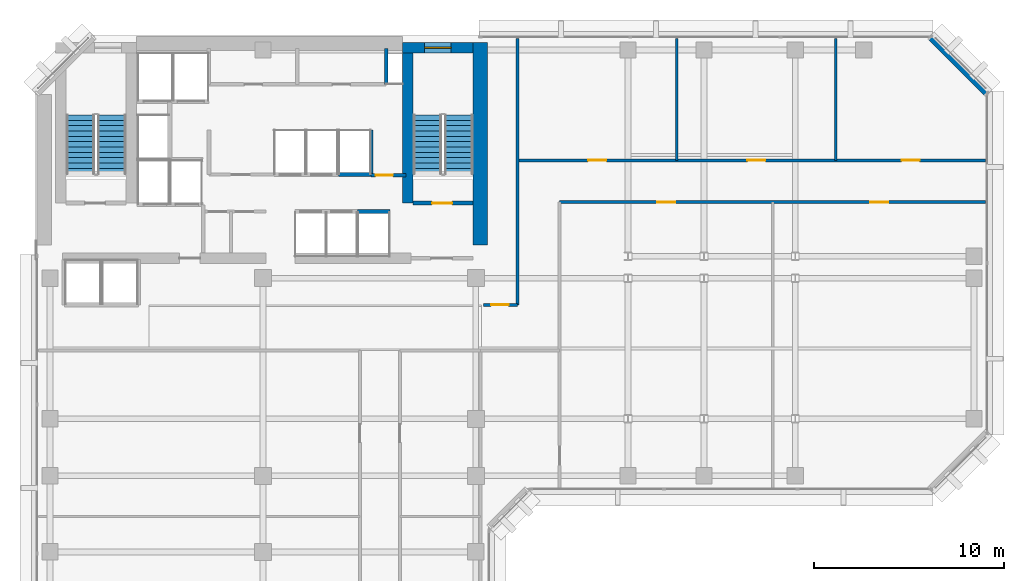
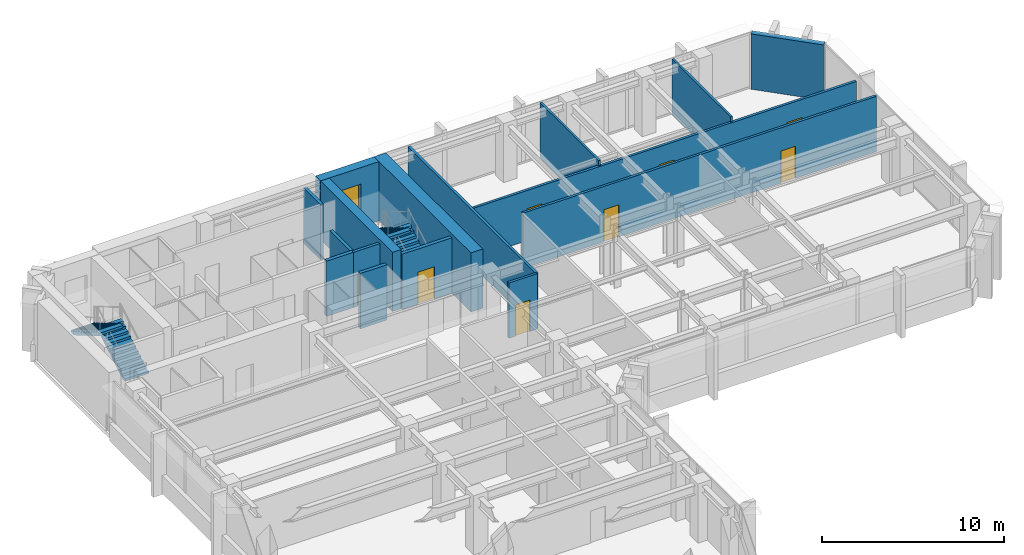
# One storey, part 8 of 11: 16 walls, 8 doors, 4 stair flights, 1 window, 9 openings, 2 elements without a shape of their own.
"""IFC4 building model written with IfcOpenShell, lengths in metres."""

from ifc_helpers import new_model, si_unit, direction, frame, frame_2d, origin, place, context, subcontext, project, spatial, polyline, rectangle, outline, extrude, material, layer, layer_set, type_object, element, fill, aggregate, save


model = new_model("IFC4")

# Units and contexts
model_context = context("Model", 3, precision=1e-05, world=origin(), true_north=direction((0.0, 1.0)))
body_context = subcontext(model_context, "Body", "Model", "MODEL_VIEW")
ifc_project = project(units=[si_unit("LENGTHUNIT", "METRE"), si_unit("AREAUNIT", "SQUARE_METRE"), si_unit("VOLUMEUNIT", "CUBIC_METRE"), si_unit("PLANEANGLEUNIT", "RADIAN"), si_unit("MASSUNIT", "GRAM", prefix="KILO")], contexts=[model_context])

# Site, building, storey
site_placement = place(None, origin())
site = spatial("IfcSite", under=ifc_project, at=site_placement, CompositionType="ELEMENT")
building_placement = place(site_placement, origin())
building = spatial("IfcBuilding", under=site, at=building_placement, Name="Kefirva Bronze Tower", CompositionType="ELEMENT")
storey_placement = place(building_placement, frame((0.0, 0.0, 183.47998046875)))
storey = spatial("IfcBuildingStorey", under=building, at=storey_placement, Name="L44", CompositionType="ELEMENT", Elevation=183.47998046875)

# Walls
ifc_material_1 = material(Name="Gypsum acoustic partition")
ifc_layer_1 = layer(ifc_material_1, 0.1298828125, Name="Gypsum acoustic partition")
ifc_layer_set_1 = layer_set([ifc_layer_1], Name="Gypsum acoustic partition")
wall_type_1 = type_object("IfcWallType", Name="Acoustic Office Partition 130mm", PredefinedType="PARTITIONING", material=ifc_layer_set_1)
for number, where, z_axis, x_axis, name in (
    (1, (33.767333984375, 39.39990234375, 0.0), (0.0, 0.0, 1.0), (0.0, 1.0, 0.0), "L44 Partition W-L44-END1"),
    (2, (42.134765625, 39.39990234375, 0.0), (0.0, 0.0, 1.0), (0.0, 1.0, 0.0), "L44 Partition W-L44-END2"),
):
    element("IfcWall", number, at=place(storey_placement, frame(where, z_axis=z_axis, x_axis=x_axis)), inside=storey, type_object=wall_type_1, Name=name, PredefinedType="PARTITIONING", context=body_context, shape_type="SweptSolid", body=[
        extrude(rectangle(XDim=6.41015625, YDim=0.1298828125, at=frame_2d((3.205078125, 0.0))), origin(), (0.0, 0.0, 1.0), 3.7099609375),
    ])

# Wall, opening, door
ifc_material_2 = material(Name="Gypsum fireboard shaftwall")
ifc_layer_2 = layer(ifc_material_2, 0.219970703125, Name="Gypsum fireboard shaftwall")
ifc_layer_set_2 = layer_set([ifc_layer_2], Name="Gypsum fireboard shaftwall")
wall_type_2 = type_object("IfcWallType", Name="Fire-Rated Shaft Enclosure Wall 220mm", PredefinedType="PARTITIONING", material=ifc_layer_set_2)
wall_1_placement = place(storey_placement, frame((19.89990234375, 37.14990234375, 0.0), z_axis=(0.0, 0.0, 1.0), x_axis=(1.0, 0.0, 0.0)))
wall_1 = element("IfcWall", 3, at=wall_1_placement, inside=storey, type_object=wall_type_2, Name="L44 Partition W-L44-ST2S", PredefinedType="PARTITIONING", context=body_context, shape_type="SweptSolid", body=[
    extrude(rectangle(XDim=3.150146484375, YDim=0.219970703125, at=frame_2d((1.5751953125, 0.0))), origin(), (0.0, 0.0, 1.0), 3.7099609375),
])
opening_1_placement = place(wall_1_placement, frame((2.050048828125, 0.0, 0.0), z_axis=(0.0, 0.0, 1.0), x_axis=(-1.0, 0.0, 0.0)))
opening_1 = element("IfcOpeningElement", 4, at=opening_1_placement, cuts=wall_1, Name="Opening L44-D003", PredefinedType="OPENING", context=body_context, shape_type="SweptSolid", body=[
    extrude(rectangle(XDim=1.050048828125, YDim=2.14990234375, at=frame_2d((0.52490234375, 1.074951171875))), frame((0.0, 0.1201171875, 0.0), z_axis=(0.0, -1.0, 0.0), x_axis=(1.0, 0.0, 0.0)), (0.0, 0.0, 1.0), 0.239990234375),
])
ifc_material_3 = material(Name="Painted galvanized steel", Category="steel")
door_type_1 = type_object("IfcDoorType", Name="Fire Stair Enclosure Door 1050x2150 FD90S", OperationType="NOTDEFINED", PredefinedType="DOOR", material=ifc_material_3)
door_1_placement = place(opening_1_placement, origin())
door_1 = element("IfcDoor", 5, at=door_1_placement, inside=storey, type_object=door_type_1, Name="Door L44-D003", OperationType="SINGLE_SWING_RIGHT", OverallHeight=2.14990234375, OverallWidth=1.050048828125, PredefinedType="DOOR", context=body_context, shape_type="SweptSolid", body=[
    extrude(rectangle(XDim=1.050048828125, YDim=2.14990234375, at=frame_2d((0.52490234375, 1.074951171875))), frame((0.0, 0.02490234375, 0.0), z_axis=(0.0, -1.0, 0.0), x_axis=(1.0, 0.0, 0.0)), (0.0, 0.0, 1.0), 0.050048828125),
])
fill(opening_1, door_1)

# Walls
wall_2_placement = place(storey_placement, frame((17.679931640625, 38.64990234375, 0.0), z_axis=(0.0, 0.0, 1.0), x_axis=(0.0, 1.0, 0.0)))
element("IfcWall", 6, at=wall_2_placement, inside=storey, type_object=wall_type_2, Name="L44 Partition W-L44-HP2E", PredefinedType="PARTITIONING", context=body_context, shape_type="SweptSolid", body=[
    extrude(rectangle(XDim=2.35009765625, YDim=0.199951171875, at=frame_2d((1.175048828125, 0.0))), origin(), (0.0, 0.0, 1.0), 3.7099609375),
])
wall_3_placement = place(storey_placement, frame((16.97998046875, 36.699951171875, 0.0), z_axis=(0.0, 0.0, 1.0), x_axis=(1.0, 0.0, 0.0)))
element("IfcWall", 7, at=wall_3_placement, inside=storey, type_object=wall_type_2, Name="L44 Partition W-L44-HPS", PredefinedType="PARTITIONING", context=body_context, shape_type="SweptSolid", body=[
    extrude(rectangle(XDim=1.699951171875, YDim=0.219970703125, at=frame_2d((0.85009765625, 0.0))), origin(), (0.0, 0.0, 1.0), 3.7099609375),
])
wall_4_placement = place(storey_placement, frame((15.97998046875, 38.64990234375, 0.0), z_axis=(0.0, 0.0, 1.0), x_axis=(1.0, 0.0, 0.0)))
element("IfcWall", 8, at=wall_4_placement, inside=storey, type_object=wall_type_2, Name="L44 Partition W-L44-HPN", PredefinedType="PARTITIONING", context=body_context, shape_type="SweptSolid", body=[
    extrude(rectangle(XDim=1.719970703125, YDim=0.219970703125, at=frame_2d((0.85986328125, 0.0))), origin(), (0.0, 0.0, 1.0), 3.7099609375),
])

# Wall, opening, door
ifc_material_4 = material(Name="Gypsum fireboard barrier")
ifc_layer_3 = layer(ifc_material_4, 0.199951171875, Name="Gypsum fireboard barrier")
ifc_layer_set_3 = layer_set([ifc_layer_3], Name="Gypsum fireboard barrier")
wall_type_3 = type_object("IfcWallType", Name="Firefighting Lobby Barrier Wall 200mm", PredefinedType="PARTITIONING", material=ifc_layer_set_3)
wall_5_placement = place(storey_placement, frame((17.679931640625, 38.6201171875, 0.0), z_axis=(0.0, 0.0, 1.0), x_axis=(1.0, 0.0, 0.0)))
wall_5 = element("IfcWall", 9, at=wall_5_placement, inside=storey, type_object=wall_type_3, Name="L44 Partition W-L44-CPASS", PredefinedType="PARTITIONING", context=body_context, shape_type="SweptSolid", body=[
    extrude(rectangle(XDim=1.840087890625, YDim=0.179931640625, at=frame_2d((0.919921875, 0.0))), origin(), (0.0, 0.0, 1.0), 3.7099609375),
])
opening_2_placement = place(wall_5_placement, frame((0.239990234375, 0.0, 0.0)))
opening_2 = element("IfcOpeningElement", 10, at=opening_2_placement, cuts=wall_5, Name="Opening L44-D-CPAS", PredefinedType="OPENING", context=body_context, shape_type="SweptSolid", body=[
    extrude(rectangle(XDim=0.919921875, YDim=2.10009765625, at=frame_2d((0.4599609375, 1.050048828125))), frame((0.0, 0.10009765625, 0.0), z_axis=(0.0, -1.0, 0.0), x_axis=(1.0, 0.0, 0.0)), (0.0, 0.0, 1.0), 0.199951171875),
])
ifc_material_5 = material(Name="Moisture-resistant timber", Category="wood")
door_type_2 = type_object("IfcDoorType", Name="Accessible Sanitary & WC Door 920x2100", OperationType="NOTDEFINED", PredefinedType="DOOR", material=ifc_material_5)
door_2_placement = place(opening_2_placement, origin())
door_2 = element("IfcDoor", 11, at=door_2_placement, inside=storey, type_object=door_type_2, Name="Door L44-D-CPAS", OperationType="SINGLE_SWING_RIGHT", OverallHeight=2.10009765625, OverallWidth=0.919921875, PredefinedType="DOOR", context=body_context, shape_type="SweptSolid", body=[
    extrude(rectangle(XDim=0.919921875, YDim=2.10009765625, at=frame_2d((0.4599609375, 1.050048828125))), frame((0.0, 0.02490234375, 0.0), z_axis=(0.0, -1.0, 0.0), x_axis=(1.0, 0.0, 0.0)), (0.0, 0.0, 1.0), 0.050048828125),
])
fill(opening_2, door_2)

# Walls
ifc_material_6 = material(Name="Precast concrete C40/50", Category="concrete")
ifc_layer_4 = layer(ifc_material_6, 0.320068359375, Name="Precast concrete C40/50")
ifc_layer_set_4 = layer_set([ifc_layer_4], Name="Precast concrete C40/50")
wall_type_4 = type_object("IfcWallType", Name="Precast Insulated Exterior Wall 320mm", PredefinedType="SOLIDWALL", material=ifc_layer_set_4)
wall_6_placement = place(storey_placement, frame((50.048095703125, 42.92578125, 0.0), z_axis=(0.0, 0.0, 1.0), x_axis=(-0.707136318428, 0.707077242712, 0.0)))
element("IfcWall", 12, at=wall_6_placement, inside=storey, type_object=wall_type_4, Name="L44 Exterior Facade Wall 7", PredefinedType="SOLIDWALL", context=body_context, shape_type="SweptSolid", body=[
    extrude(rectangle(XDim=4.132568359375, YDim=0.320068359375, at=frame_2d((2.06640625, 0.0))), origin(), (0.0, 0.0, 1.0), 3.7099609375),
])
ifc_layer_5 = layer(ifc_material_1, 0.159912109375, Name="Gypsum acoustic partition")
ifc_layer_set_5 = layer_set([ifc_layer_5], Name="Gypsum acoustic partition")
wall_type_5 = type_object("IfcWallType", Name="Protected Corridor Partition 160mm", PredefinedType="PARTITIONING", material=ifc_layer_set_5)
wall_7_placement = place(storey_placement, frame((25.39990234375, 31.800048828125, 0.0), z_axis=(0.0, 0.0, 1.0), x_axis=(0.0, 1.0, 0.0)))
element("IfcWall", 13, at=wall_7_placement, inside=storey, type_object=wall_type_5, Name="L44 Partition W-L44-ELKW", PredefinedType="PARTITIONING", context=body_context, shape_type="SweptSolid", body=[
    extrude(rectangle(XDim=14.010009765625, YDim=0.159912109375, at=frame_2d((7.0048828125, 0.0))), origin(), (0.0, 0.0, 1.0), 3.7099609375),
])

# Wall, openings, doors
wall_8_placement = place(storey_placement, frame((27.60009765625, 37.199951171875, 0.0), z_axis=(0.0, 0.0, 1.0), x_axis=(1.0, 0.0, 0.0)))
wall_8 = element("IfcWall", 14, at=wall_8_placement, inside=storey, type_object=wall_type_5, Name="L44 Partition W-L44-ECS", PredefinedType="PARTITIONING", context=body_context, shape_type="SweptSolid", body=[
    extrude(rectangle(XDim=22.409912109375, YDim=0.159912109375, at=frame_2d((11.205078125, 0.0))), origin(), (0.0, 0.0, 1.0), 3.7099609375),
])
opening_3_placement = place(wall_8_placement, frame((6.077392578125, 0.0, 0.0), z_axis=(0.0, 0.0, 1.0), x_axis=(-1.0, 0.0, 0.0)))
opening_3 = element("IfcOpeningElement", 15, at=opening_3_placement, cuts=wall_8, Name="Opening L44-D-ES1", PredefinedType="OPENING", context=body_context, shape_type="SweptSolid", body=[
    extrude(rectangle(XDim=0.949951171875, YDim=2.14990234375, at=frame_2d((0.47509765625, 1.074951171875))), frame((0.0, 0.08984375, 0.0), z_axis=(0.0, -1.0, 0.0), x_axis=(1.0, 0.0, 0.0)), (0.0, 0.0, 1.0), 0.179931640625),
])
opening_4_placement = place(wall_8_placement, frame((17.282470703125, 0.0, 0.0), z_axis=(0.0, 0.0, 1.0), x_axis=(-1.0, 0.0, 0.0)))
opening_4 = element("IfcOpeningElement", 16, at=opening_4_placement, cuts=wall_8, Name="Opening L44-D-ES2", PredefinedType="OPENING", context=body_context, shape_type="SweptSolid", body=[
    extrude(rectangle(XDim=0.949951171875, YDim=2.14990234375, at=frame_2d((0.47509765625, 1.074951171875))), frame((0.0, 0.08984375, 0.0), z_axis=(0.0, -1.0, 0.0), x_axis=(1.0, 0.0, 0.0)), (0.0, 0.0, 1.0), 0.179931640625),
])
ifc_material_7 = material(Name="Acoustic hardwood oak", Category="wood")
door_type_3 = type_object("IfcDoorType", Name="Office & Meeting Room Door 950x2150", OperationType="NOTDEFINED", PredefinedType="DOOR", material=ifc_material_7)
door_3_placement = place(opening_3_placement, origin())
door_3 = element("IfcDoor", 17, at=door_3_placement, inside=storey, type_object=door_type_3, Name="Door L44-D-ES1", OperationType="SINGLE_SWING_LEFT", OverallHeight=2.14990234375, OverallWidth=0.949951171875, PredefinedType="DOOR", context=body_context, shape_type="SweptSolid", body=[
    extrude(rectangle(XDim=0.949951171875, YDim=2.14990234375, at=frame_2d((0.47509765625, 1.074951171875))), frame((0.0, 0.02490234375, 0.0), z_axis=(0.0, -1.0, 0.0), x_axis=(1.0, 0.0, 0.0)), (0.0, 0.0, 1.0), 0.050048828125),
])
fill(opening_3, door_3)
door_4_placement = place(opening_4_placement, origin())
door_4 = element("IfcDoor", 18, at=door_4_placement, inside=storey, type_object=door_type_3, Name="Door L44-D-ES2", OperationType="SINGLE_SWING_RIGHT", OverallHeight=2.14990234375, OverallWidth=0.949951171875, PredefinedType="DOOR", context=body_context, shape_type="SweptSolid", body=[
    extrude(rectangle(XDim=0.949951171875, YDim=2.14990234375, at=frame_2d((0.47509765625, 1.074951171875))), frame((0.0, 0.02490234375, 0.0), z_axis=(0.0, -1.0, 0.0), x_axis=(1.0, 0.0, 0.0)), (0.0, 0.0, 1.0), 0.050048828125),
])
fill(opening_4, door_4)

wall_9_placement = place(storey_placement, frame((25.39990234375, 39.39990234375, 0.0), z_axis=(0.0, 0.0, 1.0), x_axis=(1.0, 0.0, 0.0)))
wall_9 = element("IfcWall", 19, at=wall_9_placement, inside=storey, type_object=wall_type_5, Name="L44 Partition W-L44-ECN", PredefinedType="PARTITIONING", context=body_context, shape_type="SweptSolid", body=[
    extrude(rectangle(XDim=24.610107421875, YDim=0.159912109375, at=frame_2d((12.30517578125, 0.0))), origin(), (0.0, 0.0, 1.0), 3.364990234375),
])
opening_5_placement = place(wall_9_placement, frame((3.708740234375, 0.0, 0.0)))
opening_5 = element("IfcOpeningElement", 20, at=opening_5_placement, cuts=wall_9, Name="Opening L44-D-EN1", PredefinedType="OPENING", context=body_context, shape_type="SweptSolid", body=[
    extrude(rectangle(XDim=0.949951171875, YDim=2.14990234375, at=frame_2d((0.47509765625, 1.074951171875))), frame((0.0, 0.08984375, 0.0), z_axis=(0.0, -1.0, 0.0), x_axis=(1.0, 0.0, 0.0)), (0.0, 0.0, 1.0), 0.179931640625),
])
opening_6_placement = place(wall_9_placement, frame((12.076171875, 0.0, 0.0)))
opening_6 = element("IfcOpeningElement", 21, at=opening_6_placement, cuts=wall_9, Name="Opening L44-D-EN2", PredefinedType="OPENING", context=body_context, shape_type="SweptSolid", body=[
    extrude(rectangle(XDim=0.949951171875, YDim=2.14990234375, at=frame_2d((0.47509765625, 1.074951171875))), frame((0.0, 0.08984375, 0.0), z_axis=(0.0, -1.0, 0.0), x_axis=(1.0, 0.0, 0.0)), (0.0, 0.0, 1.0), 0.179931640625),
])
opening_7_placement = place(wall_9_placement, frame((20.197509765625, 0.0, 0.0)))
opening_7 = element("IfcOpeningElement", 22, at=opening_7_placement, cuts=wall_9, Name="Opening L44-D-EN3", PredefinedType="OPENING", context=body_context, shape_type="SweptSolid", body=[
    extrude(rectangle(XDim=0.949951171875, YDim=2.14990234375, at=frame_2d((0.47509765625, 1.074951171875))), frame((0.0, 0.08984375, 0.0), z_axis=(0.0, -1.0, 0.0), x_axis=(1.0, 0.0, 0.0)), (0.0, 0.0, 1.0), 0.179931640625),
])
door_5_placement = place(opening_5_placement, origin())
door_5 = element("IfcDoor", 23, at=door_5_placement, inside=storey, type_object=door_type_3, Name="Door L44-D-EN1", OperationType="SINGLE_SWING_LEFT", OverallHeight=2.14990234375, OverallWidth=0.949951171875, PredefinedType="DOOR", context=body_context, shape_type="SweptSolid", body=[
    extrude(rectangle(XDim=0.949951171875, YDim=2.14990234375, at=frame_2d((0.47509765625, 1.074951171875))), frame((0.0, 0.02490234375, 0.0), z_axis=(0.0, -1.0, 0.0), x_axis=(1.0, 0.0, 0.0)), (0.0, 0.0, 1.0), 0.050048828125),
])
fill(opening_5, door_5)
door_6_placement = place(opening_6_placement, origin())
door_6 = element("IfcDoor", 24, at=door_6_placement, inside=storey, type_object=door_type_3, Name="Door L44-D-EN2", OperationType="SINGLE_SWING_RIGHT", OverallHeight=2.14990234375, OverallWidth=0.949951171875, PredefinedType="DOOR", context=body_context, shape_type="SweptSolid", body=[
    extrude(rectangle(XDim=0.949951171875, YDim=2.14990234375, at=frame_2d((0.47509765625, 1.074951171875))), frame((0.0, 0.02490234375, 0.0), z_axis=(0.0, -1.0, 0.0), x_axis=(1.0, 0.0, 0.0)), (0.0, 0.0, 1.0), 0.050048828125),
])
fill(opening_6, door_6)
door_7_placement = place(opening_7_placement, origin())
door_7 = element("IfcDoor", 25, at=door_7_placement, inside=storey, type_object=door_type_3, Name="Door L44-D-EN3", OperationType="SINGLE_SWING_LEFT", OverallHeight=2.14990234375, OverallWidth=0.949951171875, PredefinedType="DOOR", context=body_context, shape_type="SweptSolid", body=[
    extrude(rectangle(XDim=0.949951171875, YDim=2.14990234375, at=frame_2d((0.47509765625, 1.074951171875))), frame((0.0, 0.02490234375, 0.0), z_axis=(0.0, -1.0, 0.0), x_axis=(1.0, 0.0, 0.0)), (0.0, 0.0, 1.0), 0.050048828125),
])
fill(opening_7, door_7)

# Wall, opening, door
wall_10_placement = place(storey_placement, frame((23.60009765625, 31.800048828125, 0.0), z_axis=(0.0, 0.0, 1.0), x_axis=(1.0, 0.0, 0.0)))
wall_10 = element("IfcWall", 26, at=wall_10_placement, inside=storey, type_object=wall_type_5, Name="L44 Partition W-L44-EPKS", PredefinedType="PARTITIONING", context=body_context, shape_type="SweptSolid", body=[
    extrude(rectangle(XDim=1.7998046875, YDim=0.159912109375, at=frame_2d((0.89990234375, 0.0))), origin(), (0.0, 0.0, 1.0), 3.7099609375),
])
opening_8_placement = place(wall_10_placement, frame((0.39990234375, 0.0, 0.0)))
opening_8 = element("IfcOpeningElement", 27, at=opening_8_placement, cuts=wall_10, Name="Opening L44-D-EPK", PredefinedType="OPENING", context=body_context, shape_type="SweptSolid", body=[
    extrude(rectangle(XDim=0.919921875, YDim=2.10009765625, at=frame_2d((0.4599609375, 1.050048828125))), frame((0.0, 0.08984375, 0.0), z_axis=(0.0, -1.0, 0.0), x_axis=(1.0, 0.0, 0.0)), (0.0, 0.0, 1.0), 0.179931640625),
])
door_8_placement = place(opening_8_placement, origin())
door_8 = element("IfcDoor", 28, at=door_8_placement, inside=storey, type_object=door_type_2, Name="Door L44-D-EPK", OperationType="SINGLE_SWING_LEFT", OverallHeight=2.10009765625, OverallWidth=0.919921875, PredefinedType="DOOR", context=body_context, shape_type="SweptSolid", body=[
    extrude(rectangle(XDim=0.919921875, YDim=2.10009765625, at=frame_2d((0.4599609375, 1.050048828125))), frame((0.0, 0.02490234375, 0.0), z_axis=(0.0, -1.0, 0.0), x_axis=(1.0, 0.0, 0.0)), (0.0, 0.0, 1.0), 0.050048828125),
])
fill(opening_8, door_8)

# Wall, opening, window
ifc_material_8 = material(Name="Concrete C50/60", Category="concrete")
ifc_layer_6 = layer(ifc_material_8, 0.550048828125, Name="Concrete C50/60")
ifc_layer_set_6 = layer_set([ifc_layer_6], Name="Concrete C50/60")
wall_type_6 = type_object("IfcWallType", Name="RC Rear Core Exterior Wall 550mm", PredefinedType="SHEAR", material=ifc_layer_set_6)
wall_11_placement = place(storey_placement, frame((19.35009765625, 45.320068359375, 0.0), z_axis=(0.0, 0.0, 1.0), x_axis=(1.0, 0.0, 0.0)))
wall_11 = element("IfcWall", 29, at=wall_11_placement, inside=storey, type_object=wall_type_6, Name="L44 Stair 2 North Shear Wall", PredefinedType="SHEAR", context=body_context, shape_type="SweptSolid", body=[
    extrude(rectangle(XDim=3.68994140625, YDim=0.550048828125, at=frame_2d((1.844970703125, 0.0))), origin(), (0.0, 0.0, 1.0), 3.9599609375),
])
opening_9_placement = place(wall_11_placement, frame((1.14990234375, 0.0, 1.050048828125)))
opening_9 = element("IfcOpeningElement", 30, at=opening_9_placement, cuts=wall_11, Name="Opening WN-03", PredefinedType="OPENING", context=body_context, shape_type="SweptSolid", body=[
    extrude(rectangle(XDim=1.39990234375, YDim=1.800048828125, at=frame_2d((0.699951171875, 0.89990234375))), frame((0.0, 0.28515625, 0.0), z_axis=(0.0, -1.0, 0.0), x_axis=(1.0, 0.0, 0.0)), (0.0, 0.0, 1.0), 0.570068359375),
])
ifc_material_9 = material(Name="Laminated low-E double glazing", Category="glass")
window_type = type_object("IfcWindowType", Name="Rear-Core Stair Daylight Window 1400x1800", PartitioningType="SINGLE_PANEL", PredefinedType="WINDOW", material=ifc_material_9)
window_placement = place(opening_9_placement, origin())
window = element("IfcWindow", 31, at=window_placement, inside=storey, type_object=window_type, Name="L44 Stair 2 Daylight Window", OverallHeight=1.800048828125, OverallWidth=1.39990234375, PartitioningType="SINGLE_PANEL", PredefinedType="WINDOW", context=body_context, shape_type="SweptSolid", body=[
    extrude(rectangle(XDim=1.39990234375, YDim=1.800048828125, at=frame_2d((0.699951171875, 0.89990234375))), frame((0.0, 0.030029296875, 0.0), z_axis=(0.0, -1.0, 0.0), x_axis=(1.0, 0.0, 0.0)), (0.0, 0.0, 1.0), 0.06005859375),
])
fill(opening_9, window)

# Walls
ifc_layer_7 = layer(ifc_material_8, 0.550048828125, Name="Concrete C50/60")
ifc_layer_set_7 = layer_set([ifc_layer_7], Name="Concrete C50/60")
wall_type_7 = type_object("IfcWallType", Name="RC Rear Core Interior Wall 550mm", PredefinedType="SHEAR", material=ifc_layer_set_7)
wall_12_placement = place(storey_placement, frame((19.6201171875, 37.14990234375, 0.0), z_axis=(0.0, 0.0, 1.0), x_axis=(0.0, 1.0, 0.0)))
element("IfcWall", 32, at=wall_12_placement, inside=storey, type_object=wall_type_7, Name="L44 Stair 2 West Shear Wall", PredefinedType="SHEAR", context=body_context, shape_type="SweptSolid", body=[
    extrude(rectangle(XDim=7.89013671875, YDim=0.550048828125, at=frame_2d((3.945068359375, 0.0))), origin(), (0.0, 0.0, 1.0), 3.9599609375),
])
ifc_material_10 = material(Name="Concrete C60/75", Category="concrete")
ifc_layer_8 = layer(ifc_material_10, 0.75, Name="Concrete C60/75")
ifc_layer_set_8 = layer_set([ifc_layer_8], Name="Concrete C60/75")
wall_type_8 = type_object("IfcWallType", Name="RC Rear Core Interior Wall 750mm", PredefinedType="SHEAR", material=ifc_layer_set_8)
wall_13_placement = place(storey_placement, frame((23.425048828125, 34.949951171875, 0.0), z_axis=(0.0, 0.0, 1.0), x_axis=(0.0, 1.0, 0.0)))
element("IfcWall", 33, at=wall_13_placement, inside=storey, type_object=wall_type_8, Name="L44 Rear Core East Shear Wall", PredefinedType="SHEAR", context=body_context, shape_type="SweptSolid", body=[
    extrude(rectangle(XDim=10.64013671875, YDim=0.75, at=frame_2d((5.320068359375, 0.0))), origin(), (0.0, 0.0, 1.0), 3.9599609375),
])
ifc_material_11 = material(Name="Moisture-resistant partition")
ifc_layer_9 = layer(ifc_material_11, 0.179931640625, Name="Moisture-resistant partition")
ifc_layer_set_9 = layer_set([ifc_layer_9], Name="Moisture-resistant partition")
wall_type_9 = type_object("IfcWallType", Name="Sanitary Plumbing Chase Wall 180mm", PredefinedType="PLUMBINGWALL", material=ifc_layer_set_9)
wall_14_placement = place(storey_placement, frame((18.47998046875, 43.39990234375, 0.0), z_axis=(0.0, 0.0, 1.0), x_axis=(0.0, 1.0, 0.0)))
element("IfcWall", 34, at=wall_14_placement, inside=storey, type_object=wall_type_9, Name="L44 Partition W-L44-SVCE", PredefinedType="PLUMBINGWALL", context=body_context, shape_type="SweptSolid", body=[
    extrude(rectangle(XDim=1.880126953125, YDim=0.179931640625, at=frame_2d((0.93994140625, 0.0))), origin(), (0.0, 0.0, 1.0), 3.7099609375),
])

# Stair, stair flights
ifc_material_12 = material(Name="Concrete C40/50", Category="concrete")
stair_type = type_object("IfcStairType", Name="RC Dogleg Protected Stair 24R", PredefinedType="HALF_TURN_STAIR", material=ifc_material_12)
stair_1_placement = place(storey_placement, origin())
stair_1 = element("IfcStair", 35, at=stair_1_placement, inside=storey, type_object=stair_type, Name="L44 Protected Exit Stair 1", PredefinedType="HALF_TURN_STAIR")
stair_flight_type = type_object("IfcStairFlightType", Name="RC Straight Stair Flight 24R", PredefinedType="STRAIGHT", material=ifc_material_12)
stair_flight_1_placement = place(storey_placement, frame((4.050048828125, 38.699951171875, 0.0), z_axis=(0.0, 0.0, 1.0), x_axis=(0.0, 1.0, 0.0)))
stair_flight_1 = element("IfcStairFlight", 36, at=stair_flight_1_placement, type_object=stair_flight_type, Name="ST-1 flight 1", NumberOfRisers=12, NumberOfTreads=11, PredefinedType="STRAIGHT", RiserHeight=0.165, TreadLength=0.28, context=body_context, shape_type="SweptSolid", body=[
    extrude(outline(polyline([(0.0, 0.0), (0.0, 0.1650390625), (0.280029296875, 0.1650390625), (0.280029296875, 0.330078125), (0.56005859375, 0.330078125), (0.56005859375, 0.4951171875), (0.840087890625, 0.4951171875), (0.840087890625, 0.659912109375), (1.1201171875, 0.659912109375), (1.1201171875, 0.824951171875), (1.39990234375, 0.824951171875), (1.39990234375, 0.989990234375), (1.679931640625, 0.989990234375), (1.679931640625, 1.155029296875), (1.9599609375, 1.155029296875), (1.9599609375, 1.320068359375), (2.239990234375, 1.320068359375), (2.239990234375, 1.485107421875), (2.52001953125, 1.485107421875), (2.52001953125, 1.64990234375), (2.800048828125, 1.64990234375), (2.800048828125, 1.81494140625), (3.080078125, 1.81494140625), (3.080078125, 1.97998046875), (3.080078125, 1.64111328125), (0.295166015625, 0.0), (0.0, 0.0)])), frame((0.0, 0.75, 0.0), z_axis=(0.0, -1.0, 0.0), x_axis=(1.0, 0.0, 0.0)), (0.0, 0.0, 1.0), 1.5),
])
stair_flight_2_placement = place(storey_placement, frame((2.39990234375, 41.780029296875, 1.97998046875), z_axis=(0.0, 0.0, 1.0), x_axis=(0.0, -1.0, 0.0)))
stair_flight_2 = element("IfcStairFlight", 37, at=stair_flight_2_placement, type_object=stair_flight_type, Name="ST-1 flight 2", NumberOfRisers=12, NumberOfTreads=11, PredefinedType="STRAIGHT", RiserHeight=0.165, TreadLength=0.28, context=body_context, shape_type="SweptSolid", body=[
    extrude(outline(polyline([(0.0, 0.0), (0.0, 0.1650390625), (0.280029296875, 0.1650390625), (0.280029296875, 0.330078125), (0.56005859375, 0.330078125), (0.56005859375, 0.4951171875), (0.840087890625, 0.4951171875), (0.840087890625, 0.659912109375), (1.1201171875, 0.659912109375), (1.1201171875, 0.824951171875), (1.39990234375, 0.824951171875), (1.39990234375, 0.989990234375), (1.679931640625, 0.989990234375), (1.679931640625, 1.155029296875), (1.9599609375, 1.155029296875), (1.9599609375, 1.320068359375), (2.239990234375, 1.320068359375), (2.239990234375, 1.485107421875), (2.52001953125, 1.485107421875), (2.52001953125, 1.64990234375), (2.800048828125, 1.64990234375), (2.800048828125, 1.81494140625), (3.080078125, 1.81494140625), (3.080078125, 1.97998046875), (3.080078125, 1.64111328125), (0.295166015625, 0.0), (0.0, 0.0)])), frame((0.0, 0.75, 0.0), z_axis=(0.0, -1.0, 0.0), x_axis=(1.0, 0.0, 0.0)), (0.0, 0.0, 1.0), 1.5),
])
aggregate(stair_1, [stair_flight_1, stair_flight_2])

stair_2_placement = place(storey_placement, origin())
stair_2 = element("IfcStair", 38, at=stair_2_placement, inside=storey, type_object=stair_type, Name="L44 Protected Exit Stair 2", PredefinedType="HALF_TURN_STAIR")
stair_flight_3_placement = place(storey_placement, frame((22.300048828125, 38.699951171875, 0.0), z_axis=(0.0, 0.0, 1.0), x_axis=(0.0, 1.0, 0.0)))
stair_flight_3 = element("IfcStairFlight", 39, at=stair_flight_3_placement, type_object=stair_flight_type, Name="ST-2 flight 1", NumberOfRisers=12, NumberOfTreads=11, PredefinedType="STRAIGHT", RiserHeight=0.165, TreadLength=0.28, context=body_context, shape_type="SweptSolid", body=[
    extrude(outline(polyline([(0.0, 0.0), (0.0, 0.1650390625), (0.280029296875, 0.1650390625), (0.280029296875, 0.330078125), (0.56005859375, 0.330078125), (0.56005859375, 0.4951171875), (0.840087890625, 0.4951171875), (0.840087890625, 0.659912109375), (1.1201171875, 0.659912109375), (1.1201171875, 0.824951171875), (1.39990234375, 0.824951171875), (1.39990234375, 0.989990234375), (1.679931640625, 0.989990234375), (1.679931640625, 1.155029296875), (1.9599609375, 1.155029296875), (1.9599609375, 1.320068359375), (2.239990234375, 1.320068359375), (2.239990234375, 1.485107421875), (2.52001953125, 1.485107421875), (2.52001953125, 1.64990234375), (2.800048828125, 1.64990234375), (2.800048828125, 1.81494140625), (3.080078125, 1.81494140625), (3.080078125, 1.97998046875), (3.080078125, 1.64111328125), (0.295166015625, 0.0), (0.0, 0.0)])), frame((0.0, 0.75, 0.0), z_axis=(0.0, -1.0, 0.0), x_axis=(1.0, 0.0, 0.0)), (0.0, 0.0, 1.0), 1.5),
])
stair_flight_4_placement = place(storey_placement, frame((20.64990234375, 41.780029296875, 1.97998046875), z_axis=(0.0, 0.0, 1.0), x_axis=(0.0, -1.0, 0.0)))
stair_flight_4 = element("IfcStairFlight", 40, at=stair_flight_4_placement, type_object=stair_flight_type, Name="ST-2 flight 2", NumberOfRisers=12, NumberOfTreads=11, PredefinedType="STRAIGHT", RiserHeight=0.165, TreadLength=0.28, context=body_context, shape_type="SweptSolid", body=[
    extrude(outline(polyline([(0.0, 0.0), (0.0, 0.1650390625), (0.280029296875, 0.1650390625), (0.280029296875, 0.330078125), (0.56005859375, 0.330078125), (0.56005859375, 0.4951171875), (0.840087890625, 0.4951171875), (0.840087890625, 0.659912109375), (1.1201171875, 0.659912109375), (1.1201171875, 0.824951171875), (1.39990234375, 0.824951171875), (1.39990234375, 0.989990234375), (1.679931640625, 0.989990234375), (1.679931640625, 1.155029296875), (1.9599609375, 1.155029296875), (1.9599609375, 1.320068359375), (2.239990234375, 1.320068359375), (2.239990234375, 1.485107421875), (2.52001953125, 1.485107421875), (2.52001953125, 1.64990234375), (2.800048828125, 1.64990234375), (2.800048828125, 1.81494140625), (3.080078125, 1.81494140625), (3.080078125, 1.97998046875), (3.080078125, 1.64111328125), (0.295166015625, 0.0), (0.0, 0.0)])), frame((0.0, 0.75, 0.0), z_axis=(0.0, -1.0, 0.0), x_axis=(1.0, 0.0, 0.0)), (0.0, 0.0, 1.0), 1.5),
])
aggregate(stair_2, [stair_flight_3, stair_flight_4])

save(model, "model.ifc")
